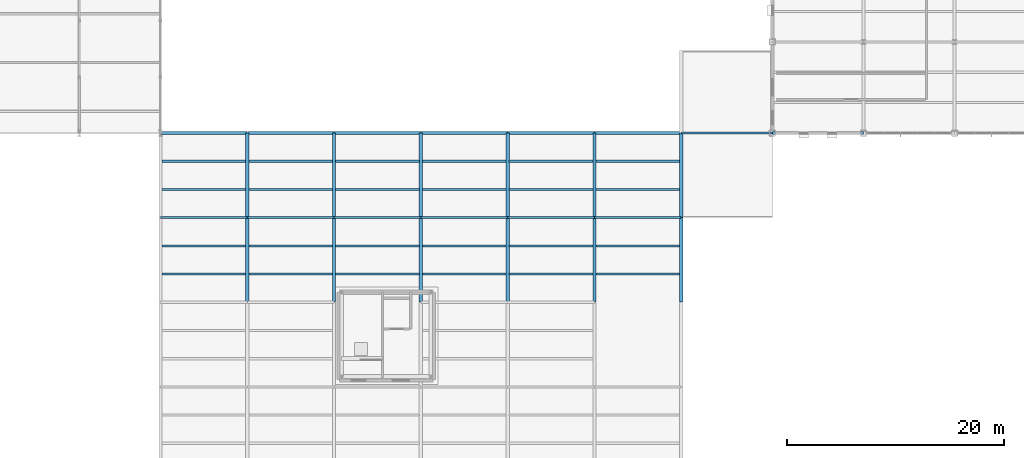
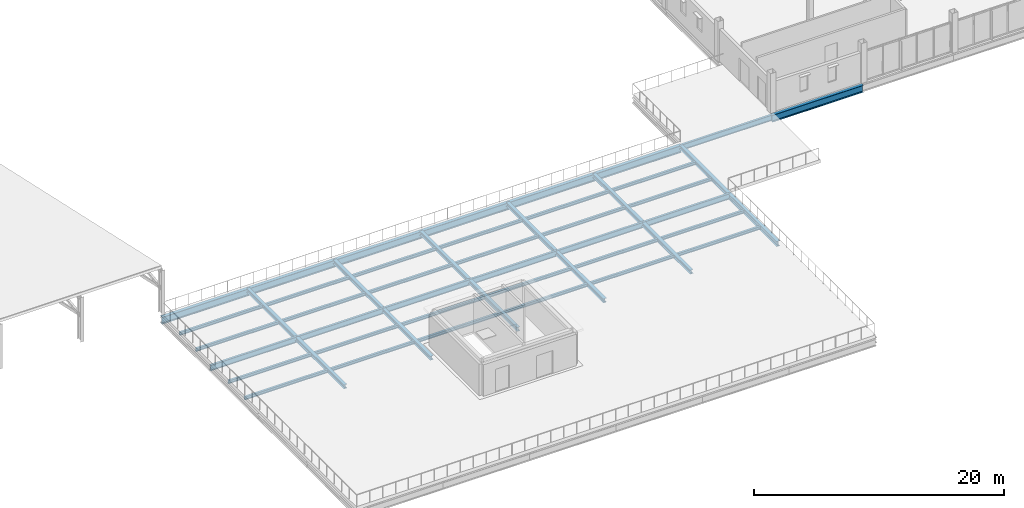
# One storey, part 37 of 77: 50 beams.
"""IFC4 building model written with IfcOpenShell, lengths in metres."""

from ifc_helpers import new_model, si_unit, direction, frame, origin, origin_2d, place, context, subcontext, project, spatial, i_section, extrude, material, material_profile, profile_set, type_object, element, save


model = new_model("IFC4")

# Units and contexts
model_context = context("Model", 3, precision=1e-05, world=origin(), true_north=direction((0.0, 1.0)))
body_context = subcontext(model_context, "Body", "Model", "MODEL_VIEW")
ifc_project = project(units=[si_unit("LENGTHUNIT", "METRE"), si_unit("AREAUNIT", "SQUARE_METRE"), si_unit("VOLUMEUNIT", "CUBIC_METRE"), si_unit("PLANEANGLEUNIT", "RADIAN"), si_unit("MASSUNIT", "GRAM", prefix="KILO")], contexts=[model_context])

# Site, building, storey
site_placement = place(None, origin())
site = spatial("IfcSite", under=ifc_project, at=site_placement, CompositionType="ELEMENT")
building_placement = place(site_placement, origin())
building = spatial("IfcBuilding", under=site, at=building_placement, Name="Yukiwa Park Conservatory and Herbarium", CompositionType="ELEMENT")
storey_placement = place(building_placement, frame((0.0, 0.0, 13.199951171875)))
storey = spatial("IfcBuildingStorey", under=building, at=storey_placement, Name="L03", CompositionType="ELEMENT", Elevation=13.199951171875)

# Beams
ifc_material_1 = material(Name="Steel Q355D", Category="steel")
ifc_material_profile_1 = material_profile(ifc_material_1, i_section(OverallWidth=0.300048828125, OverallDepth=0.389892578125, WebThickness=0.010009765625, FlangeThickness=0.01611328125, FilletRadius=0.02001953125, at=origin_2d()), Name="HM 390x300x10x16")
ifc_profile_set_1 = profile_set([ifc_material_profile_1], Name="Steel Q355D")
beam_type_1 = type_object("IfcBeamType", Name="BM-GRD-HM390", PredefinedType="BEAM", material=ifc_profile_set_1)
beam_1_placement = place(storey_placement, frame((68.0, 62.406005859375, -0.514892578125), z_axis=(0.0, 1.0, 0.0), x_axis=(-1.0, 0.0, 0.0)))
element("IfcBeam", 1, at=beam_1_placement, inside=storey, type_object=beam_type_1, Name="L03 grid girder Y-66", PredefinedType="BEAM", context=body_context, shape_type="SweptSolid", body=[
    extrude(i_section(OverallWidth=0.300048828125, OverallDepth=0.389892578125, WebThickness=0.010009765625, FlangeThickness=0.01611328125, FilletRadius=0.02001953125, at=origin_2d()), origin(), (0.0, 0.0, 1.0), 7.7880859375),
])
beam_2_placement = place(storey_placement, frame((68.0, 70.2060546875, -0.514892578125), z_axis=(0.0, 1.0, 0.0), x_axis=(-1.0, 0.0, 0.0)))
element("IfcBeam", 2, at=beam_2_placement, inside=storey, type_object=beam_type_1, Name="L03 grid girder Y-67", PredefinedType="BEAM", context=body_context, shape_type="SweptSolid", body=[
    extrude(i_section(OverallWidth=0.300048828125, OverallDepth=0.389892578125, WebThickness=0.010009765625, FlangeThickness=0.01611328125, FilletRadius=0.02001953125, at=origin_2d()), origin(), (0.0, 0.0, 1.0), 7.787841796875),
])
beam_3_placement = place(storey_placement, frame((76.0, 62.406005859375, -0.514892578125), z_axis=(0.0, 1.0, 0.0), x_axis=(-1.0, 0.0, 0.0)))
element("IfcBeam", 3, at=beam_3_placement, inside=storey, type_object=beam_type_1, Name="L03 grid girder Y-70", PredefinedType="BEAM", context=body_context, shape_type="SweptSolid", body=[
    extrude(i_section(OverallWidth=0.300048828125, OverallDepth=0.389892578125, WebThickness=0.010009765625, FlangeThickness=0.01611328125, FilletRadius=0.02001953125, at=origin_2d()), origin(), (0.0, 0.0, 1.0), 7.7880859375),
])
beam_4_placement = place(storey_placement, frame((76.0, 70.2060546875, -0.514892578125), z_axis=(0.0, 1.0, 0.0), x_axis=(-1.0, 0.0, 0.0)))
element("IfcBeam", 4, at=beam_4_placement, inside=storey, type_object=beam_type_1, Name="L03 grid girder Y-71", PredefinedType="BEAM", context=body_context, shape_type="SweptSolid", body=[
    extrude(i_section(OverallWidth=0.300048828125, OverallDepth=0.389892578125, WebThickness=0.010009765625, FlangeThickness=0.01611328125, FilletRadius=0.02001953125, at=origin_2d()), origin(), (0.0, 0.0, 1.0), 7.787841796875),
])
beam_5_placement = place(storey_placement, frame((84.0, 62.406005859375, -0.514892578125), z_axis=(0.0, 1.0, 0.0), x_axis=(-1.0, 0.0, 0.0)))
element("IfcBeam", 5, at=beam_5_placement, inside=storey, type_object=beam_type_1, Name="L03 grid girder Y-74", PredefinedType="BEAM", context=body_context, shape_type="SweptSolid", body=[
    extrude(i_section(OverallWidth=0.300048828125, OverallDepth=0.389892578125, WebThickness=0.010009765625, FlangeThickness=0.01611328125, FilletRadius=0.02001953125, at=origin_2d()), origin(), (0.0, 0.0, 1.0), 7.7880859375),
])
beam_6_placement = place(storey_placement, frame((84.0, 70.2060546875, -0.514892578125), z_axis=(0.0, 1.0, 0.0), x_axis=(-1.0, 0.0, 0.0)))
element("IfcBeam", 6, at=beam_6_placement, inside=storey, type_object=beam_type_1, Name="L03 grid girder Y-75", PredefinedType="BEAM", context=body_context, shape_type="SweptSolid", body=[
    extrude(i_section(OverallWidth=0.300048828125, OverallDepth=0.389892578125, WebThickness=0.010009765625, FlangeThickness=0.01611328125, FilletRadius=0.02001953125, at=origin_2d()), origin(), (0.0, 0.0, 1.0), 7.787841796875),
])
beam_7_placement = place(storey_placement, frame((92.0, 62.406005859375, -0.514892578125), z_axis=(0.0, 1.0, 0.0), x_axis=(-1.0, 0.0, 0.0)))
element("IfcBeam", 7, at=beam_7_placement, inside=storey, type_object=beam_type_1, Name="L03 grid girder Y-78", PredefinedType="BEAM", context=body_context, shape_type="SweptSolid", body=[
    extrude(i_section(OverallWidth=0.300048828125, OverallDepth=0.389892578125, WebThickness=0.010009765625, FlangeThickness=0.01611328125, FilletRadius=0.02001953125, at=origin_2d()), origin(), (0.0, 0.0, 1.0), 7.7880859375),
])
beam_8_placement = place(storey_placement, frame((92.0, 70.2060546875, -0.514892578125), z_axis=(0.0, 1.0, 0.0), x_axis=(-1.0, 0.0, 0.0)))
element("IfcBeam", 8, at=beam_8_placement, inside=storey, type_object=beam_type_1, Name="L03 grid girder Y-79", PredefinedType="BEAM", context=body_context, shape_type="SweptSolid", body=[
    extrude(i_section(OverallWidth=0.300048828125, OverallDepth=0.389892578125, WebThickness=0.010009765625, FlangeThickness=0.01611328125, FilletRadius=0.02001953125, at=origin_2d()), origin(), (0.0, 0.0, 1.0), 7.787841796875),
])
beam_9_placement = place(storey_placement, frame((100.0, 62.406005859375, -0.514892578125), z_axis=(0.0, 1.0, 0.0), x_axis=(-1.0, 0.0, 0.0)))
element("IfcBeam", 9, at=beam_9_placement, inside=storey, type_object=beam_type_1, Name="L03 grid girder Y-82", PredefinedType="BEAM", context=body_context, shape_type="SweptSolid", body=[
    extrude(i_section(OverallWidth=0.300048828125, OverallDepth=0.389892578125, WebThickness=0.010009765625, FlangeThickness=0.01611328125, FilletRadius=0.02001953125, at=origin_2d()), origin(), (0.0, 0.0, 1.0), 7.7880859375),
])
for number, where, z_axis, x_axis, name in (
    (10, (100.0, 70.2060546875, -0.514892578125), (0.0, 1.0, 0.0), (-1.0, 0.0, 0.0), "L03 grid girder Y-83"),
    (11, (108.0, 70.2060546875, -0.514892578125), (0.0, 1.0, 0.0), (-1.0, 0.0, 0.0), "L03 grid girder Y-87"),
):
    element("IfcBeam", number, at=place(storey_placement, frame(where, z_axis=z_axis, x_axis=x_axis)), inside=storey, type_object=beam_type_1, Name=name, PredefinedType="BEAM", context=body_context, shape_type="SweptSolid", body=[
        extrude(i_section(OverallWidth=0.300048828125, OverallDepth=0.389892578125, WebThickness=0.010009765625, FlangeThickness=0.01611328125, FilletRadius=0.02001953125, at=origin_2d()), origin(), (0.0, 0.0, 1.0), 7.787841796875),
    ])
ifc_material_2 = material(Name="Steel Q355D", Category="steel")
ifc_material_profile_2 = material_profile(ifc_material_2, i_section(OverallWidth=0.199951171875, OverallDepth=0.550048828125, WebThickness=0.010009765625, FlangeThickness=0.01611328125, FilletRadius=0.02001953125, at=origin_2d()), Name="HN 550x200x10x16")
ifc_profile_set_2 = profile_set([ifc_material_profile_2], Name="Steel Q355D")
beam_type_2 = type_object("IfcBeamType", Name="BM-GRD-HN550", PredefinedType="BEAM", material=ifc_profile_set_2)
for number, where, z_axis, x_axis, name in (
    (12, (60.006103515625, 70.199951171875, -0.594970703125), (1.0, 0.0, 0.0), (0.0, 1.0, 0.0), "L03 grid beam X-17"),
    (13, (68.006103515625, 70.199951171875, -0.594970703125), (1.0, 0.0, 0.0), (0.0, 1.0, 0.0), "L03 grid beam X-18"),
    (14, (76.006103515625, 70.199951171875, -0.594970703125), (1.0, 0.0, 0.0), (0.0, 1.0, 0.0), "L03 grid beam X-19"),
    (15, (84.006103515625, 70.199951171875, -0.594970703125), (1.0, 0.0, 0.0), (0.0, 1.0, 0.0), "L03 grid beam X-20"),
    (16, (92.006103515625, 70.199951171875, -0.594970703125), (1.0, 0.0, 0.0), (0.0, 1.0, 0.0), "L03 grid beam X-21"),
    (17, (100.006103515625, 70.199951171875, -0.594970703125), (1.0, 0.0, 0.0), (0.0, 1.0, 0.0), "L03 grid beam X-22"),
):
    element("IfcBeam", number, at=place(storey_placement, frame(where, z_axis=z_axis, x_axis=x_axis)), inside=storey, type_object=beam_type_2, Name=name, PredefinedType="BEAM", context=body_context, shape_type="SweptSolid", body=[
        extrude(i_section(OverallWidth=0.199951171875, OverallDepth=0.550048828125, WebThickness=0.010009765625, FlangeThickness=0.01611328125, FilletRadius=0.02001953125, at=origin_2d()), origin(), (0.0, 0.0, 1.0), 7.98779296875),
    ])
beam_10_placement = place(storey_placement, frame((108.006103515625, 78.0, -0.594970703125), z_axis=(1.0, 0.0, 0.0), x_axis=(0.0, 1.0, 0.0)))
element("IfcBeam", 18, at=beam_10_placement, inside=storey, type_object=beam_type_2, Name="L03 grid beam X-29", PredefinedType="BEAM", context=body_context, shape_type="SweptSolid", body=[
    extrude(i_section(OverallWidth=0.199951171875, OverallDepth=0.550048828125, WebThickness=0.010009765625, FlangeThickness=0.01611328125, FilletRadius=0.02001953125, at=origin_2d()), origin(), (0.0, 0.0, 1.0), 8.387939453125),
])
ifc_material_3 = material(Name="Steel Q355D", Category="steel")
ifc_material_profile_3 = material_profile(ifc_material_3, i_section(OverallWidth=0.199951171875, OverallDepth=0.2939453125, WebThickness=0.008056640625, FlangeThickness=0.011962890625, FilletRadius=0.01806640625, at=origin_2d()), Name="HM 294x200x8x12")
ifc_profile_set_3 = profile_set([ifc_material_profile_3], Name="Steel Q355D")
beam_type_3 = type_object("IfcBeamType", Name="BM-JST-HM294", PredefinedType="JOIST", material=ifc_profile_set_3)
for number, where, z_axis, x_axis, name in (
    (19, (60.14599609375, 65.0, -0.467041015625), (1.0, 0.0, 0.0), (0.0, 1.0, 0.0), "L03 composite floor joist 5"),
    (20, (60.14599609375, 67.60009765625, -0.467041015625), (1.0, 0.0, 0.0), (0.0, 1.0, 0.0), "L03 composite floor joist 6"),
    (21, (60.14599609375, 72.800048828125, -0.467041015625), (1.0, 0.0, 0.0), (0.0, 1.0, 0.0), "L03 composite floor joist 7"),
    (22, (60.14599609375, 75.39990234375, -0.467041015625), (1.0, 0.0, 0.0), (0.0, 1.0, 0.0), "L03 composite floor joist 8"),
    (23, (68.14599609375, 65.0, -0.467041015625), (1.0, 0.0, 0.0), (0.0, 1.0, 0.0), "L03 composite floor joist 13"),
    (24, (68.14599609375, 67.60009765625, -0.467041015625), (1.0, 0.0, 0.0), (0.0, 1.0, 0.0), "L03 composite floor joist 14"),
    (25, (68.14599609375, 72.800048828125, -0.467041015625), (1.0, 0.0, 0.0), (0.0, 1.0, 0.0), "L03 composite floor joist 15"),
    (26, (68.14599609375, 75.39990234375, -0.467041015625), (1.0, 0.0, 0.0), (0.0, 1.0, 0.0), "L03 composite floor joist 16"),
    (27, (76.14599609375, 65.0, -0.467041015625), (1.0, 0.0, 0.0), (0.0, 1.0, 0.0), "L03 composite floor joist 19"),
    (28, (76.14599609375, 67.60009765625, -0.467041015625), (1.0, 0.0, 0.0), (0.0, 1.0, 0.0), "L03 composite floor joist 20"),
    (29, (76.14599609375, 72.800048828125, -0.467041015625), (1.0, 0.0, 0.0), (0.0, 1.0, 0.0), "L03 composite floor joist 21"),
    (30, (76.14599609375, 75.39990234375, -0.467041015625), (1.0, 0.0, 0.0), (0.0, 1.0, 0.0), "L03 composite floor joist 22"),
    (31, (84.14599609375, 65.0, -0.467041015625), (1.0, 0.0, 0.0), (0.0, 1.0, 0.0), "L03 composite floor joist 27"),
    (32, (84.14599609375, 67.60009765625, -0.467041015625), (1.0, 0.0, 0.0), (0.0, 1.0, 0.0), "L03 composite floor joist 28"),
    (33, (84.14599609375, 72.800048828125, -0.467041015625), (1.0, 0.0, 0.0), (0.0, 1.0, 0.0), "L03 composite floor joist 29"),
    (34, (84.14599609375, 75.39990234375, -0.467041015625), (1.0, 0.0, 0.0), (0.0, 1.0, 0.0), "L03 composite floor joist 30"),
    (35, (92.14599609375, 65.0, -0.467041015625), (1.0, 0.0, 0.0), (0.0, 1.0, 0.0), "L03 composite floor joist 35"),
    (36, (92.14599609375, 67.60009765625, -0.467041015625), (1.0, 0.0, 0.0), (0.0, 1.0, 0.0), "L03 composite floor joist 36"),
    (37, (92.14599609375, 72.800048828125, -0.467041015625), (1.0, 0.0, 0.0), (0.0, 1.0, 0.0), "L03 composite floor joist 37"),
    (38, (92.14599609375, 75.39990234375, -0.467041015625), (1.0, 0.0, 0.0), (0.0, 1.0, 0.0), "L03 composite floor joist 38"),
    (39, (100.14599609375, 65.0, -0.467041015625), (1.0, 0.0, 0.0), (0.0, 1.0, 0.0), "L03 composite floor joist 41"),
    (40, (100.14599609375, 67.60009765625, -0.467041015625), (1.0, 0.0, 0.0), (0.0, 1.0, 0.0), "L03 composite floor joist 42"),
    (41, (100.14599609375, 72.800048828125, -0.467041015625), (1.0, 0.0, 0.0), (0.0, 1.0, 0.0), "L03 composite floor joist 43"),
    (42, (100.14599609375, 75.39990234375, -0.467041015625), (1.0, 0.0, 0.0), (0.0, 1.0, 0.0), "L03 composite floor joist 44"),
):
    element("IfcBeam", number, at=place(storey_placement, frame(where, z_axis=z_axis, x_axis=x_axis)), inside=storey, type_object=beam_type_3, Name=name, PredefinedType="JOIST", context=body_context, shape_type="SweptSolid", body=[
        extrude(i_section(OverallWidth=0.199951171875, OverallDepth=0.2939453125, WebThickness=0.008056640625, FlangeThickness=0.011962890625, FilletRadius=0.01806640625, at=origin_2d()), origin(), (0.0, 0.0, 1.0), 7.7080078125),
    ])
ifc_material_4 = material(Name="Steel Q355D", Category="steel")
ifc_material_profile_4 = material_profile(ifc_material_4, i_section(OverallWidth=0.300048828125, OverallDepth=0.493896484375, WebThickness=0.010986328125, FlangeThickness=0.014892578125, FilletRadius=0.02392578125, at=origin_2d()), Name="HM 494x300x11x15")
ifc_profile_set_4 = profile_set([ifc_material_profile_4], Name="Steel Q355D")
beam_type_4 = type_object("IfcBeamType", Name="BM-SPN-HN450", PredefinedType="SPANDREL", material=ifc_profile_set_4)
beam_11_placement = place(storey_placement, frame((108.0, 62.406005859375, -0.56689453125), z_axis=(0.0, 1.0, 0.0), x_axis=(-1.0, 0.0, 0.0)))
element("IfcBeam", 43, at=beam_11_placement, inside=storey, type_object=beam_type_4, Name="L03 spandrel girder Y-86", PredefinedType="SPANDREL", context=body_context, shape_type="SweptSolid", body=[
    extrude(i_section(OverallWidth=0.300048828125, OverallDepth=0.493896484375, WebThickness=0.010986328125, FlangeThickness=0.014892578125, FilletRadius=0.02392578125, at=origin_2d()), origin(), (0.0, 0.0, 1.0), 7.7880859375),
])
ifc_material_5 = material(Name="Steel Q355D", Category="steel")
ifc_material_profile_5 = material_profile(ifc_material_5, i_section(OverallWidth=0.300048828125, OverallDepth=0.69189453125, WebThickness=0.012939453125, FlangeThickness=0.02001953125, FilletRadius=0.028076171875, at=origin_2d()), Name="HN 692x300x13x20")
ifc_profile_set_5 = profile_set([ifc_material_profile_5], Name="Steel Q355D")
beam_type_5 = type_object("IfcBeamType", Name="BM-SPN-HN550", PredefinedType="SPANDREL", material=ifc_profile_set_5)
for number, where, z_axis, x_axis, name in (
    (44, (60.006103515625, 78.0, -0.666015625), (1.0, 0.0, 0.0), (0.0, 1.0, 0.0), "L03 spandrel beam X-23"),
    (45, (68.006103515625, 78.0, -0.666015625), (1.0, 0.0, 0.0), (0.0, 1.0, 0.0), "L03 spandrel beam X-24"),
    (46, (76.006103515625, 78.0, -0.666015625), (1.0, 0.0, 0.0), (0.0, 1.0, 0.0), "L03 spandrel beam X-25"),
    (47, (84.006103515625, 78.0, -0.666015625), (1.0, 0.0, 0.0), (0.0, 1.0, 0.0), "L03 spandrel beam X-26"),
    (48, (92.006103515625, 78.0, -0.666015625), (1.0, 0.0, 0.0), (0.0, 1.0, 0.0), "L03 spandrel beam X-27"),
    (49, (100.006103515625, 78.0, -0.666015625), (1.0, 0.0, 0.0), (0.0, 1.0, 0.0), "L03 spandrel beam X-28"),
):
    element("IfcBeam", number, at=place(storey_placement, frame(where, z_axis=z_axis, x_axis=x_axis)), inside=storey, type_object=beam_type_5, Name=name, PredefinedType="SPANDREL", context=body_context, shape_type="SweptSolid", body=[
        extrude(i_section(OverallWidth=0.300048828125, OverallDepth=0.69189453125, WebThickness=0.012939453125, FlangeThickness=0.02001953125, FilletRadius=0.028076171875, at=origin_2d()), origin(), (0.0, 0.0, 1.0), 7.98779296875),
    ])
beam_12_placement = place(storey_placement, frame((116.406005859375, 78.0, -0.666015625), z_axis=(1.0, 0.0, 0.0), x_axis=(0.0, 1.0, 0.0)))
element("IfcBeam", 50, at=beam_12_placement, inside=storey, type_object=beam_type_5, Name="L03 spandrel beam X-30", PredefinedType="SPANDREL", context=body_context, shape_type="SweptSolid", body=[
    extrude(i_section(OverallWidth=0.300048828125, OverallDepth=0.69189453125, WebThickness=0.012939453125, FlangeThickness=0.02001953125, FilletRadius=0.028076171875, at=origin_2d()), origin(), (0.0, 0.0, 1.0), 8.387939453125),
])

save(model, "model.ifc")
